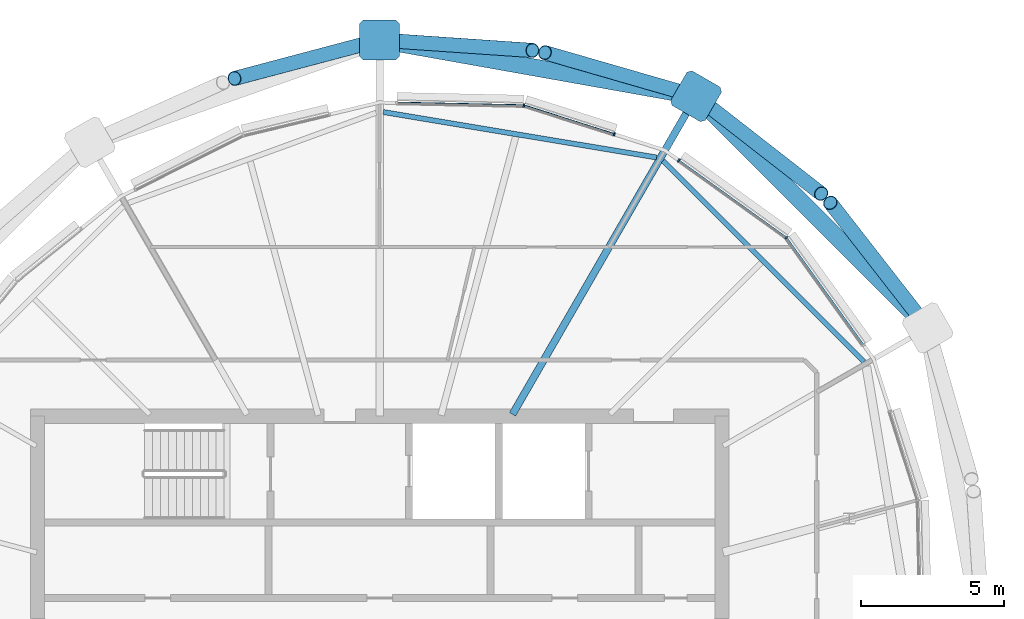
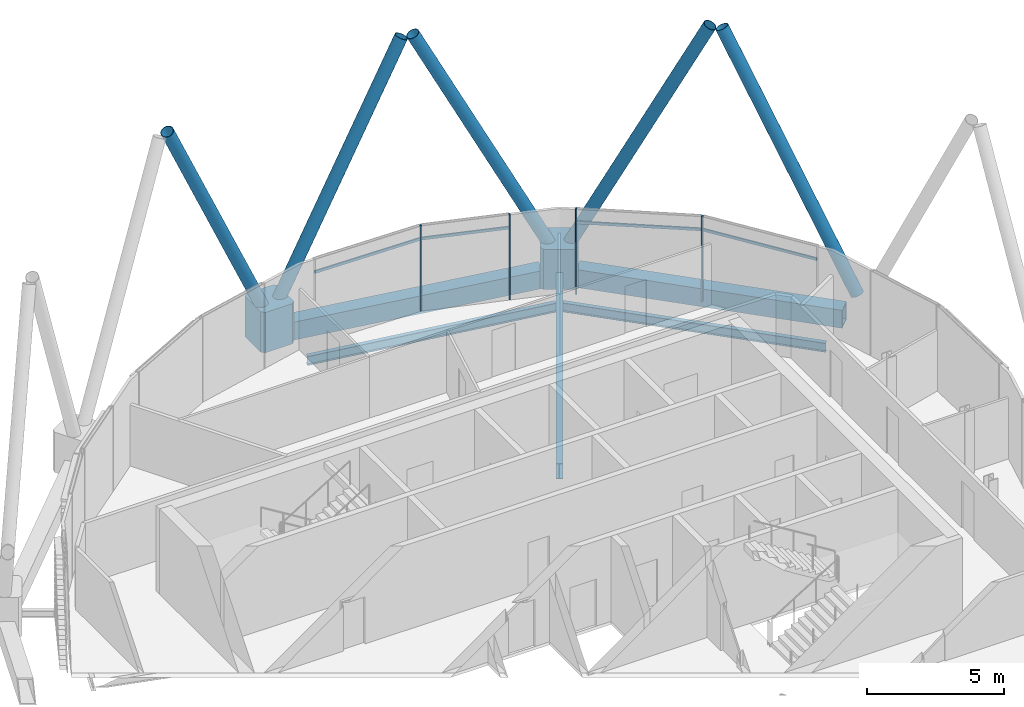
# One storey, part 16 of 31: 15 members, 5 beams, 1 element without a shape of its own.
"""IFC4 building model written with IfcOpenShell, lengths in metres."""

from ifc_helpers import new_model, si_unit, direction, frame, origin, origin_2d, place, context, subcontext, project, spatial, polyline, rectangle, hollow_rectangle, hollow_circle, i_section, outline, extrude, material, material_profile, profile_set, type_object, element, aggregate, save


model = new_model("IFC4")

# Units and contexts
model_context = context("Model", 3, precision=1e-05, world=origin(), true_north=direction((0.0, 1.0)))
body_context = subcontext(model_context, "Body", "Model", "MODEL_VIEW")
ifc_project = project(units=[si_unit("LENGTHUNIT", "METRE"), si_unit("AREAUNIT", "SQUARE_METRE"), si_unit("VOLUMEUNIT", "CUBIC_METRE"), si_unit("PLANEANGLEUNIT", "RADIAN"), si_unit("MASSUNIT", "GRAM", prefix="KILO")], contexts=[model_context])

# Site, building, storey
site_placement = place(None, origin())
site = spatial("IfcSite", under=ifc_project, at=site_placement, CompositionType="ELEMENT")
building_placement = place(site_placement, origin())
building = spatial("IfcBuilding", under=site, at=building_placement, Name="Rimbun Link Towers", CompositionType="ELEMENT")
storey_placement = place(building_placement, frame((0.0, 0.0, 244.699951171875)))
storey = spatial("IfcBuildingStorey", under=building, at=storey_placement, Name="L60", CompositionType="ELEMENT", Elevation=244.699951171875)

# Curtain wall, members
ifc_material_1 = material(Name="Aluminium 6063-T6 and low-iron glass", Category="aluminium")
curtain_wall_type = type_object("IfcCurtainWallType", Name="CW1-Z4 unitised vision wall (zone 4)", PredefinedType="NOTDEFINED", material=ifc_material_1)
curtain_wall_placement = place(storey_placement, origin())
curtain_wall = element("IfcCurtainWall", 1, at=curtain_wall_placement, inside=storey, type_object=curtain_wall_type, Name="CW1 L60 T2", PredefinedType="NOTDEFINED")
ifc_material_2 = material(Name="Aluminium 6063-T6", Category="aluminium")
ifc_material_profile_1 = material_profile(ifc_material_2, rectangle(XDim=0.1201171875, YDim=0.06005859375, at=origin_2d()), Name="MULLION 60X120")
ifc_profile_set_1 = profile_set([ifc_material_profile_1], Name="Aluminium 6063-T6")
member_type_1 = type_object("IfcMemberType", Name="CW1 mullion 60X120", PredefinedType="MULLION", material=ifc_profile_set_1)
member_1_placement = place(storey_placement, frame((42.24169921875, 16.96630859375, 0.0), z_axis=(0.0, 0.0, 1.0), x_axis=(0.583009413827, 0.812465398272, 0.0)))
member_1 = element("IfcMember", 2, at=member_1_placement, type_object=member_type_1, Name="CW1 mullion", PredefinedType="MULLION", context=body_context, shape_type="SweptSolid", body=[
    extrude(rectangle(XDim=0.1201171875, YDim=0.06005859375, at=origin_2d()), origin(), (0.0, 0.0, 1.0), 3.800048828125),
])
member_2_placement = place(storey_placement, frame((46.0107421875, 14.2607421875, 0.0), z_axis=(0.0, 0.0, 1.0), x_axis=(0.707106781187, 0.707106781187, 0.0)))
member_2 = element("IfcMember", 3, at=member_2_placement, type_object=member_type_1, Name="CW1 mullion", PredefinedType="MULLION", context=body_context, shape_type="SweptSolid", body=[
    extrude(rectangle(XDim=0.1201171875, YDim=0.06005859375, at=origin_2d()), origin(), (0.0, 0.0, 1.0), 3.800048828125),
])
member_3_placement = place(storey_placement, frame((36.80615234375, 18.89208984375, 0.0), z_axis=(0.0, 0.0, 1.0), x_axis=(0.163742013886, 0.986503194566, 0.0)))
member_3 = element("IfcMember", 4, at=member_3_placement, type_object=member_type_1, Name="CW1 mullion", PredefinedType="MULLION", context=body_context, shape_type="SweptSolid", body=[
    extrude(rectangle(XDim=0.1201171875, YDim=0.06005859375, at=origin_2d()), origin(), (0.0, 0.0, 1.0), 3.800048828125),
])
member_4_placement = place(storey_placement, frame((39.974365234375, 17.88525390625, 0.0), z_axis=(0.0, 0.0, 1.0), x_axis=(0.303061432375, 0.952971021704, 0.0)))
member_4 = element("IfcMember", 5, at=member_4_placement, type_object=member_type_1, Name="CW1 mullion", PredefinedType="MULLION", context=body_context, shape_type="SweptSolid", body=[
    extrude(rectangle(XDim=0.1201171875, YDim=0.06005859375, at=origin_2d()), origin(), (0.0, 0.0, 1.0), 3.800048828125),
])
ifc_material_3 = material(Name="Aluminium 6063-T6", Category="aluminium")
ifc_material_profile_2 = material_profile(ifc_material_3, rectangle(XDim=0.06005859375, YDim=0.1201171875, at=origin_2d()), Name="TRANSOM 60X120")
ifc_profile_set_2 = profile_set([ifc_material_profile_2], Name="Aluminium 6063-T6")
member_type_2 = type_object("IfcMemberType", Name="CW1 transom 60X120", PredefinedType="USERDEFINED", material=ifc_profile_set_2)
member_5_placement = place(storey_placement, frame((42.264892578125, 16.947021484375, 3.199951171875), z_axis=(0.812489840132, -0.582975350836, 0.0), x_axis=(0.582975350836, 0.812489840132, 0.0)))
member_5 = element("IfcMember", 6, at=member_5_placement, type_object=member_type_2, Name="CW1 transom", ObjectType="TRANSOM", PredefinedType="USERDEFINED", context=body_context, shape_type="SweptSolid", body=[
    extrude(rectangle(XDim=0.06005859375, YDim=0.1201171875, at=origin_2d()), origin(), (0.0, 0.0, 1.0), 4.56982421875),
])
member_6_placement = place(storey_placement, frame((36.842529296875, 18.879150390625, 3.199951171875), z_axis=(0.952964178506, -0.30308294984, 0.0), x_axis=(0.30308294984, 0.952964178506, 0.0)))
member_6 = element("IfcMember", 7, at=member_6_placement, type_object=member_type_2, Name="CW1 transom", ObjectType="TRANSOM", PredefinedType="USERDEFINED", context=body_context, shape_type="SweptSolid", body=[
    extrude(rectangle(XDim=0.06005859375, YDim=0.1201171875, at=origin_2d()), origin(), (0.0, 0.0, 1.0), 3.255859375),
])
member_7_placement = place(storey_placement, frame((32.381103515625, 18.98388671875, 3.199951171875), z_axis=(0.999778762712, -0.021033916197, 0.0), x_axis=(0.021033916197, 0.999778762712, 0.0)))
member_7 = element("IfcMember", 8, at=member_7_placement, type_object=member_type_2, Name="CW1 transom", ObjectType="TRANSOM", PredefinedType="USERDEFINED", context=body_context, shape_type="SweptSolid", body=[
    extrude(rectangle(XDim=0.06005859375, YDim=0.1201171875, at=origin_2d()), origin(), (0.0, 0.0, 1.0), 4.387451171875),
])
member_8_placement = place(storey_placement, frame((46.032958984375, 14.227783203125, 3.199951171875), z_axis=(0.582975350836, -0.812489840132, 0.0), x_axis=(0.812489840132, 0.582975350836, 0.0)))
member_8 = element("IfcMember", 9, at=member_8_placement, type_object=member_type_2, Name="CW1 transom", ObjectType="TRANSOM", PredefinedType="USERDEFINED", context=body_context, shape_type="SweptSolid", body=[
    extrude(rectangle(XDim=0.06005859375, YDim=0.1201171875, at=origin_2d()), origin(), (0.0, 0.0, 1.0), 4.56982421875),
])
aggregate(curtain_wall, [member_1, member_2, member_3, member_4, member_5, member_6, member_7, member_8])

# Members
ifc_material_4 = material(Name="Steel S355J2H", Category="steel")
ifc_material_profile_3 = material_profile(ifc_material_4, hollow_circle(Radius=0.25390625, WallThickness=0.02001953125, at=origin_2d()), Name="Diagrid diagonal CHS 508x20")
ifc_profile_set_3 = profile_set([ifc_material_profile_3], Name="Steel S355J2H")
member_type_3 = type_object("IfcMemberType", Name="Diagrid diagonal CHS 508x20", PredefinedType="BRACE", material=ifc_profile_set_3)
member_9_placement = place(storey_placement, frame((43.022705078125, 19.07666015625, 0.44580078125), z_axis=(0.35710549887, -0.278156139536, 0.89168650585), x_axis=(0.614501269173, 0.78891583213, 0.0)))
element("IfcMember", 10, at=member_9_placement, inside=storey, type_object=member_type_3, Name="Diagrid diagonal T2 L60-L63 01a", PredefinedType="BRACE", context=body_context, shape_type="SweptSolid", body=[
    extrude(hollow_circle(Radius=0.25390625, WallThickness=0.02001953125, at=origin_2d()), origin(), (0.0, 0.0, 1.0), 11.784912109375),
])
member_10_placement = place(storey_placement, frame((42.628173828125, 19.2783203125, 0.446533203125), z_axis=(-0.432322640268, 0.124712444466, 0.893053156821), x_axis=(-0.277168838841, -0.960821229353, 0.0)))
element("IfcMember", 11, at=member_10_placement, inside=storey, type_object=member_type_3, Name="Diagrid diagonal T2 L60-L63 01b", PredefinedType="BRACE", context=body_context, shape_type="SweptSolid", body=[
    extrude(hollow_circle(Radius=0.25390625, WallThickness=0.02001953125, at=origin_2d()), origin(), (0.0, 0.0, 1.0), 11.765380859375),
])
member_11_placement = place(storey_placement, frame((31.969482421875, 21.17431640625, 0.448974609375), z_axis=(0.439162819445, -0.030037325785, 0.897905216087), x_axis=(0.068237361855, 0.99766911471, 0.0)))
element("IfcMember", 12, at=member_11_placement, inside=storey, type_object=member_type_3, Name="Diagrid diagonal T2 L60-L63 03a", PredefinedType="BRACE", context=body_context, shape_type="SweptSolid", body=[
    extrude(hollow_circle(Radius=0.25390625, WallThickness=0.02001953125, at=origin_2d()), origin(), (0.0, 0.0, 1.0), 11.696044921875),
])
member_12_placement = place(storey_placement, frame((31.54052734375, 21.1337890625, 0.45068359375), z_axis=(-0.419064142481, -0.111042148765, 0.901140880043), x_axis=(0.256137010812, -0.966640487302, 0.0)))
element("IfcMember", 13, at=member_12_placement, inside=storey, type_object=member_type_3, Name="Diagrid diagonal T2 L60-L63 03b", PredefinedType="BRACE", context=body_context, shape_type="SweptSolid", body=[
    extrude(hollow_circle(Radius=0.25390625, WallThickness=0.02001953125, at=origin_2d()), origin(), (0.0, 0.0, 1.0), 11.650634765625),
])
member_13_placement = place(storey_placement, frame((50.82666015625, 11.272705078125, 0.44580078125), z_axis=(-0.278156139536, 0.35710549887, 0.89168650585), x_axis=(-0.78891583213, -0.614501269173, 0.0)))
element("IfcMember", 14, at=member_13_placement, inside=storey, type_object=member_type_3, Name="Diagrid diagonal T2 L60-L63 23b", PredefinedType="BRACE", context=body_context, shape_type="SweptSolid", body=[
    extrude(hollow_circle(Radius=0.25390625, WallThickness=0.02001953125, at=origin_2d()), origin(), (0.0, 0.0, 1.0), 11.784912109375),
])
ifc_material_5 = material(Name="Cast steel G20Mn5+QT, Rp0.2 300 MPa", Category="steel")
ifc_material_profile_4 = material_profile(ifc_material_5, outline(polyline([(0.699951171875, -0.570068359375), (0.699951171875, 0.570068359375), (0.570068359375, 0.699951171875), (-0.570068359375, 0.699951171875), (-0.699951171875, 0.570068359375), (-0.699951171875, -0.570068359375), (-0.570068359375, -0.699951171875), (0.570068359375, -0.699951171875), (0.699951171875, -0.570068359375)])), Name="NODE 1400x1400")
ifc_profile_set_4 = profile_set([ifc_material_profile_4], Name="Cast steel G20Mn5+QT, Rp0.2 300 MPa")
member_type_4 = type_object("IfcMemberType", Name="Diagrid node cast 1400", PredefinedType="USERDEFINED", material=ifc_profile_set_4)
for number, where, z_axis, x_axis, name in (
    (15, (42.84423828125, 19.2158203125, -0.89990234375), (0.0, 0.0, 1.0), (0.5, 0.866025403784, 0.0), "Diagrid node L60 01"),
    (16, (31.75, 21.189208984375, -0.89990234375), (0.0, 0.0, 1.0), (0.0, 1.0, 0.0), "Diagrid node L60 03"),
):
    element("IfcMember", number, at=place(storey_placement, frame(where, z_axis=z_axis, x_axis=x_axis)), inside=storey, type_object=member_type_4, Name=name, ObjectType="Diagrid node", PredefinedType="USERDEFINED", context=body_context, shape_type="SweptSolid", body=[
        extrude(outline(polyline([(0.699951171875, -0.570068359375), (0.699951171875, 0.570068359375), (0.570068359375, 0.699951171875), (-0.570068359375, 0.699951171875), (-0.699951171875, 0.570068359375), (-0.699951171875, -0.570068359375), (-0.570068359375, -0.699951171875), (0.570068359375, -0.699951171875), (0.699951171875, -0.570068359375)])), origin(), (0.0, 0.0, 1.0), 1.800048828125),
    ])

# Beams
ifc_material_6 = material(Name="Steel S355J2", Category="steel")
ifc_material_profile_5 = material_profile(ifc_material_6, hollow_rectangle(XDim=0.60009765625, YDim=0.800048828125, WallThickness=0.0400390625, at=origin_2d()), Name="Exoskeleton ring girder BOX 600x800x40")
ifc_profile_set_5 = profile_set([ifc_material_profile_5], Name="Steel S355J2")
beam_type_1 = type_object("IfcBeamType", Name="Exoskeleton ring girder BOX 600x800x40", PredefinedType="BEAM", material=ifc_profile_set_5)
beam_1_placement = place(storey_placement, frame((42.155029296875, 19.33837890625, -0.56005859375), z_axis=(-0.984544785782, 0.175132991722, 0.0), x_axis=(-0.175132991722, -0.984544785782, 0.0)))
element("IfcBeam", 17, at=beam_1_placement, inside=storey, type_object=beam_type_1, Name="Exoskeleton ring girder L60 00", PredefinedType="BEAM", context=body_context, shape_type="SweptSolid", body=[
    extrude(hollow_rectangle(XDim=0.60009765625, YDim=0.800048828125, WallThickness=0.0400390625, at=origin_2d()), origin(), (0.0, 0.0, 1.0), 9.868408203125),
])
beam_2_placement = place(storey_placement, frame((50.470703125, 11.58935546875, -0.56005859375), z_axis=(-0.707106781187, 0.707106781187, 0.0), x_axis=(-0.707106781187, -0.707106781187, 0.0)))
element("IfcBeam", 18, at=beam_2_placement, inside=storey, type_object=beam_type_1, Name="Exoskeleton ring girder L60 08", PredefinedType="BEAM", context=body_context, shape_type="SweptSolid", body=[
    extrude(hollow_rectangle(XDim=0.60009765625, YDim=0.800048828125, WallThickness=0.0400390625, at=origin_2d()), origin(), (0.0, 0.0, 1.0), 10.085205078125),
])
ifc_material_7 = material(Name="Steel S355J2", Category="steel")
ifc_material_profile_6 = material_profile(ifc_material_7, i_section(OverallWidth=0.177978515625, OverallDepth=0.406494140625, WebThickness=0.0078125, FlangeThickness=0.0126953125, at=origin_2d()), Name="UB 406x178x60")
ifc_profile_set_6 = profile_set([ifc_material_profile_6], Name="Steel S355J2")
beam_type_2 = type_object("IfcBeamType", Name="UB 406x178x60", PredefinedType="BEAM", material=ifc_profile_set_6)
beam_3_placement = place(storey_placement, frame((41.456787109375, 17.068115234375, -0.34326171875), z_axis=(-0.986456366801, 0.164023889719, 0.0), x_axis=(-0.164023889719, -0.986456366801, 0.0)))
element("IfcBeam", 19, at=beam_3_placement, inside=storey, type_object=beam_type_2, Name="Edge beam T2 L60 01-03", PredefinedType="BEAM", context=body_context, shape_type="SweptSolid", body=[
    extrude(i_section(OverallWidth=0.177978515625, OverallDepth=0.406494140625, WebThickness=0.0078125, FlangeThickness=0.0126953125, at=origin_2d()), origin(), (0.0, 0.0, 1.0), 9.710693359375),
])
beam_4_placement = place(storey_placement, frame((48.729736328125, 9.906982421875, -0.34326171875), z_axis=(-0.707094528957, 0.707119033204, 0.0), x_axis=(-0.707119033204, -0.707094528957, 0.0)))
element("IfcBeam", 20, at=beam_4_placement, inside=storey, type_object=beam_type_2, Name="Edge beam T2 L60 23-01", PredefinedType="BEAM", context=body_context, shape_type="SweptSolid", body=[
    extrude(i_section(OverallWidth=0.177978515625, OverallDepth=0.406494140625, WebThickness=0.0078125, FlangeThickness=0.0126953125, at=origin_2d()), origin(), (0.0, 0.0, 1.0), 9.963134765625),
])
ifc_material_8 = material(Name="Steel S355J2", Category="steel")
ifc_material_profile_7 = material_profile(ifc_material_8, i_section(OverallWidth=0.253662109375, OverallDepth=0.68359375, WebThickness=0.012451171875, FlangeThickness=0.01904296875, at=origin_2d()), Name="UB 686x254x140")
ifc_profile_set_7 = profile_set([ifc_material_profile_7], Name="Steel S355J2")
beam_type_3 = type_object("IfcBeamType", Name="UB 686x254x140", PredefinedType="BEAM", material=ifc_profile_set_7)
beam_5_placement = place(storey_placement, frame((36.406005859375, 8.064208984375, -0.481689453125), z_axis=(0.499993950998, 0.866028896149, 0.0), x_axis=(-0.866028896149, 0.499993950998, 0.0)))
element("IfcBeam", 21, at=beam_5_placement, inside=storey, type_object=beam_type_3, Name="Radial beam T2 L60 01", PredefinedType="BEAM", context=body_context, shape_type="SweptSolid", body=[
    extrude(i_section(OverallWidth=0.253662109375, OverallDepth=0.68359375, WebThickness=0.012451171875, FlangeThickness=0.01904296875, at=origin_2d()), origin(), (0.0, 0.0, 1.0), 12.376708984375),
])

save(model, "model.ifc")
